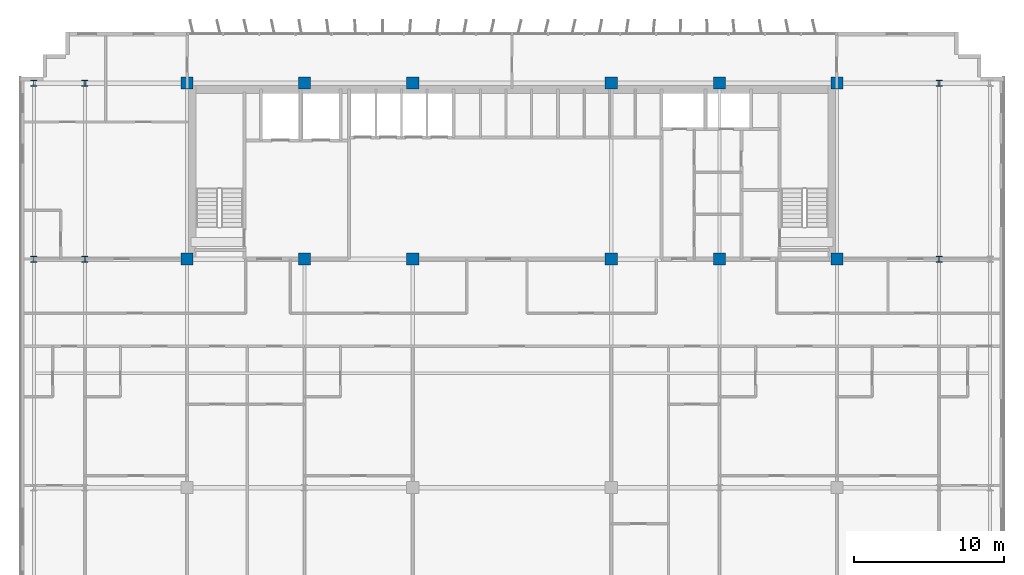
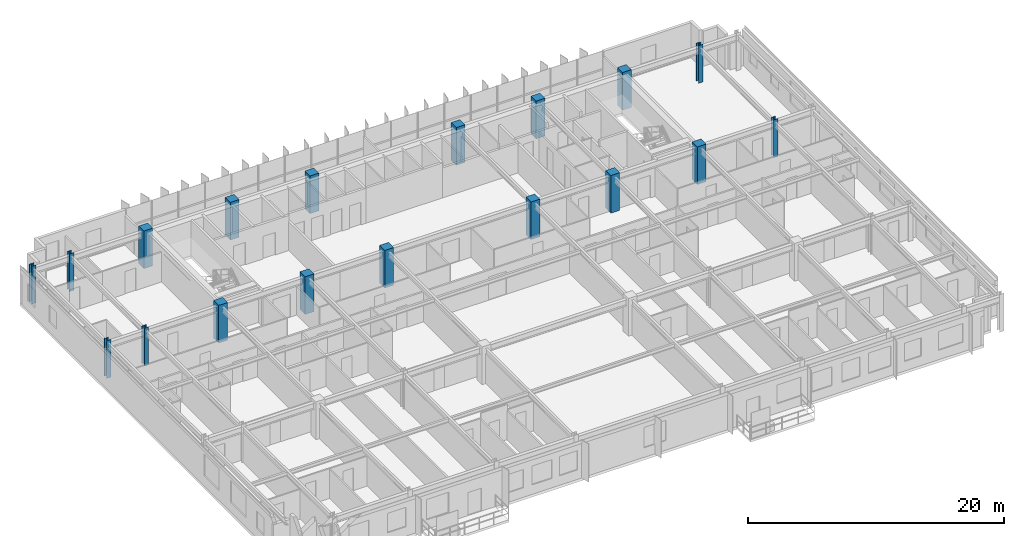
# One storey, part 2 of 22: 18 columns.
"""IFC4 building model written with IfcOpenShell, lengths in metres."""

from ifc_helpers import new_model, si_unit, direction, frame, origin, origin_2d, place, context, subcontext, project, spatial, rectangle, i_section, extrude, source, transform, mapped, material, material_profile, profile_set, type_object, element, save


model = new_model("IFC4")

# Units and contexts
model_context = context("Model", 3, precision=1e-05, world=origin(), true_north=direction((0.0, 1.0)))
body_context = subcontext(model_context, "Body", "Model", "MODEL_VIEW")
ifc_project = project(units=[si_unit("LENGTHUNIT", "METRE"), si_unit("AREAUNIT", "SQUARE_METRE"), si_unit("VOLUMEUNIT", "CUBIC_METRE"), si_unit("PLANEANGLEUNIT", "RADIAN"), si_unit("MASSUNIT", "GRAM", prefix="KILO")], contexts=[model_context])

# Site, building, storey
site_placement = place(None, origin())
site = spatial("IfcSite", under=ifc_project, at=site_placement, CompositionType="ELEMENT")
building_placement = place(site_placement, origin())
building = spatial("IfcBuilding", under=site, at=building_placement, Name="Trelvane Seafront Commons", CompositionType="ELEMENT")
storey_placement = place(building_placement, frame((0.0, 0.0, 99.699951171875)))
storey = spatial("IfcBuildingStorey", under=building, at=storey_placement, Name="L25", CompositionType="ELEMENT", Elevation=99.699951171875)

# Columns
ifc_material_1 = material(Name="Steel SM355 (S355)", Category="steel")
ifc_material_profile_1 = material_profile(ifc_material_1, i_section(OverallWidth=0.39990234375, OverallDepth=0.39990234375, WebThickness=0.02197265625, FlangeThickness=0.034912109375, at=origin_2d()), Name="HD-400x400x22x35")
ifc_profile_set_1 = profile_set([ifc_material_profile_1], Name="Steel SM355 (S355)")
column_type_1 = type_object("IfcColumnType", Name="STR-COL-HD400", PredefinedType="COLUMN", material=ifc_profile_set_1)
shared_shape_1 = source(origin(), body_context, "Body", "SweptSolid", [
    extrude(i_section(OverallWidth=0.39990234375, OverallDepth=0.39990234375, WebThickness=0.02197265625, FlangeThickness=0.034912109375, at=origin_2d()), origin(), (0.0, 0.0, 1.0), 3.60009765625),
])
for number, where, z_axis, x_axis, name in (
    (1, (5.39990234375, 33.39990234375, 0.0), (0.0, 0.0, 1.0), (1.0, 0.0, 0.0), "L25 Column TC-CS5.4"),
    (2, (5.39990234375, 45.10009765625, 0.0), (0.0, 0.0, 1.0), (1.0, 0.0, 0.0), "L25 Column TC-CN5.4"),
    (3, (8.800048828125, 33.39990234375, 0.0), (0.0, 0.0, 1.0), (1.0, 0.0, 0.0), "L25 Column TC-CS8.8"),
    (4, (8.800048828125, 45.10009765625, 0.0), (0.0, 0.0, 1.0), (1.0, 0.0, 0.0), "L25 Column TC-CN8.8"),
    (5, (65.60009765625, 33.39990234375, 0.0), (0.0, 0.0, 1.0), (1.0, 0.0, 0.0), "L25 Column TC-CS65.6"),
    (6, (65.60009765625, 45.10009765625, 0.0), (0.0, 0.0, 1.0), (1.0, 0.0, 0.0), "L25 Column TC-CN65.6"),
):
    element("IfcColumn", number, at=place(storey_placement, frame(where, z_axis=z_axis, x_axis=x_axis)), inside=storey, type_object=column_type_1, Name=name, PredefinedType="COLUMN", context=body_context, shape_type="MappedRepresentation", body=[
        mapped(shared_shape_1, transform((0.0, 0.0, 0.0), x_axis=(1.0, 0.0, 0.0), y_axis=(0.0, 1.0, 0.0), z_axis=(0.0, 0.0, 1.0), scale=1.0)),
    ])
ifc_material_2 = material(Name="Concrete C60/75", Category="concrete")
ifc_material_profile_2 = material_profile(ifc_material_2, rectangle(XDim=0.800048828125, YDim=0.800048828125, at=origin_2d()), Name="RC-800x800")
ifc_profile_set_2 = profile_set([ifc_material_profile_2], Name="Concrete C60/75")
column_type_2 = type_object("IfcColumnType", Name="STR-COL-RC800", PredefinedType="COLUMN", material=ifc_profile_set_2)
shared_shape_2 = source(origin(), body_context, "Body", "SweptSolid", [
    extrude(rectangle(XDim=0.800048828125, YDim=0.800048828125, at=origin_2d()), origin(), (0.0, 0.0, 1.0), 3.60009765625),
])
for number, where, z_axis, x_axis, name in (
    (7, (15.60009765625, 33.39990234375, 0.0), (0.0, 0.0, 1.0), (1.0, 0.0, 0.0), "L25 Column TC-CS15.6"),
    (8, (15.60009765625, 45.10009765625, 0.0), (0.0, 0.0, 1.0), (1.0, 0.0, 0.0), "L25 Column TC-CN15.6"),
    (9, (23.39990234375, 33.39990234375, 0.0), (0.0, 0.0, 1.0), (1.0, 0.0, 0.0), "L25 Column TC-CS23.4"),
    (10, (23.39990234375, 45.10009765625, 0.0), (0.0, 0.0, 1.0), (1.0, 0.0, 0.0), "L25 Column TC-CN23.4"),
    (11, (30.60009765625, 33.39990234375, 0.0), (0.0, 0.0, 1.0), (1.0, 0.0, 0.0), "L25 Column TC-CS30.6"),
    (12, (30.60009765625, 45.10009765625, 0.0), (0.0, 0.0, 1.0), (1.0, 0.0, 0.0), "L25 Column TC-CN30.6"),
    (13, (43.800048828125, 33.39990234375, 0.0), (0.0, 0.0, 1.0), (1.0, 0.0, 0.0), "L25 Column TC-CS43.8"),
    (14, (43.800048828125, 45.10009765625, 0.0), (0.0, 0.0, 1.0), (1.0, 0.0, 0.0), "L25 Column TC-CN43.8"),
    (15, (51.0, 33.39990234375, 0.0), (0.0, 0.0, 1.0), (1.0, 0.0, 0.0), "L25 Column TC-CS51.0"),
    (16, (51.0, 45.10009765625, 0.0), (0.0, 0.0, 1.0), (1.0, 0.0, 0.0), "L25 Column TC-CN51.0"),
    (17, (58.800048828125, 33.39990234375, 0.0), (0.0, 0.0, 1.0), (1.0, 0.0, 0.0), "L25 Column TC-CS58.8"),
    (18, (58.800048828125, 45.10009765625, 0.0), (0.0, 0.0, 1.0), (1.0, 0.0, 0.0), "L25 Column TC-CN58.8"),
):
    element("IfcColumn", number, at=place(storey_placement, frame(where, z_axis=z_axis, x_axis=x_axis)), inside=storey, type_object=column_type_2, Name=name, PredefinedType="COLUMN", context=body_context, shape_type="MappedRepresentation", body=[
        mapped(shared_shape_2, transform((0.0, 0.0, 0.0), x_axis=(1.0, 0.0, 0.0), y_axis=(0.0, 1.0, 0.0), z_axis=(0.0, 0.0, 1.0), scale=1.0)),
    ])

save(model, "model.ifc")
